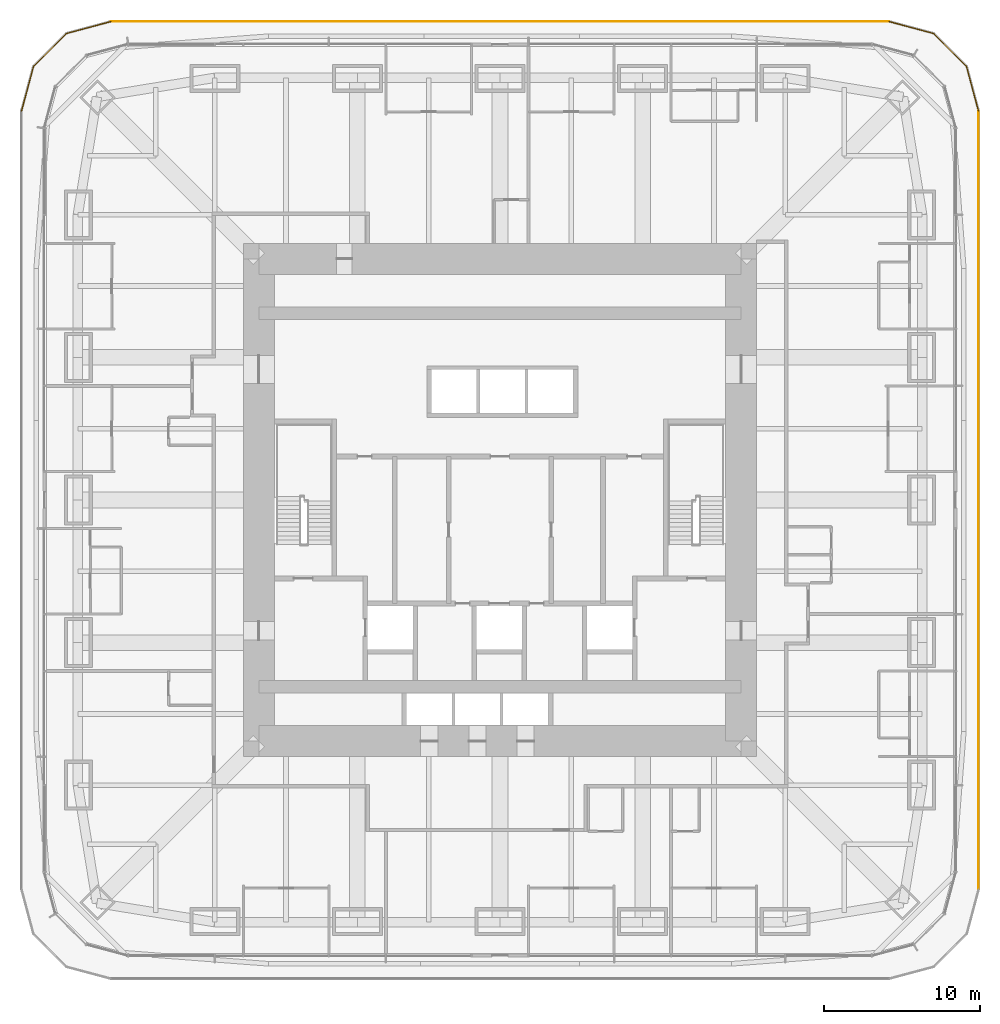
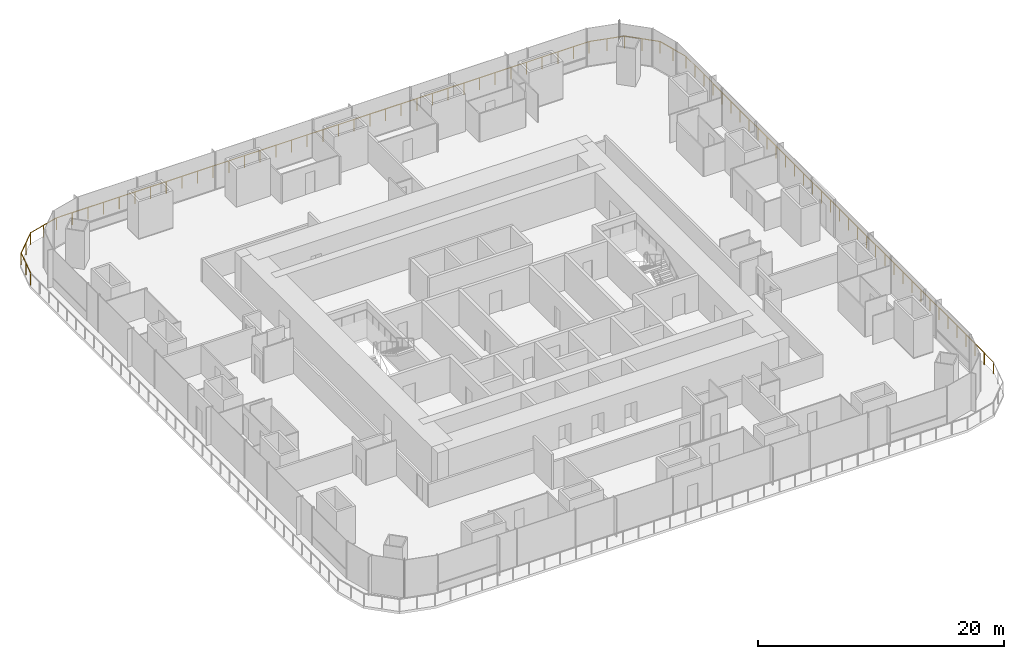
# One storey, part 16 of 16: 4 railings.
"""IFC4 building model written with IfcOpenShell, lengths in metres."""

from ifc_helpers import new_model, si_unit, direction, frame, origin, origin_2d, place, context, subcontext, project, spatial, circle, extrude, material, type_object, element, save


model = new_model("IFC4")

# Units and contexts
model_context = context("Model", 3, precision=1e-05, world=origin(), true_north=direction((0.0, 1.0)))
body_context = subcontext(model_context, "Body", "Model", "MODEL_VIEW")
ifc_project = project(units=[si_unit("LENGTHUNIT", "METRE"), si_unit("AREAUNIT", "SQUARE_METRE"), si_unit("VOLUMEUNIT", "CUBIC_METRE"), si_unit("PLANEANGLEUNIT", "RADIAN"), si_unit("MASSUNIT", "GRAM", prefix="KILO")], contexts=[model_context])

# Site, building, storey
site_placement = place(None, origin())
site = spatial("IfcSite", under=ifc_project, at=site_placement, CompositionType="ELEMENT")
building_placement = place(site_placement, origin())
building = spatial("IfcBuilding", under=site, at=building_placement, Name="Khuree Lantern Residences", CompositionType="ELEMENT")
storey_placement = place(building_placement, frame((0.0, 0.0, 107.25)))
storey = spatial("IfcBuildingStorey", under=building, at=storey_placement, Name="L26", CompositionType="ELEMENT", Elevation=107.25)

# Railings
ifc_material = material(Name="Toughened laminated glass balustrade with bronze anodised aluminium top rail", Category="aluminium")
railing_type = type_object("IfcRailingType", Name="TERRACE GUARD G1 1200", PredefinedType="GUARDRAIL", material=ifc_material)
railing_1_placement = place(storey_placement, frame((30.75, -25.0, 0.0)))
element("IfcRailing", 1, at=railing_1_placement, inside=storey, type_object=railing_type, Name="L26 EAST FACE TERRACE GUARD", PredefinedType="GUARDRAIL", context=body_context, shape_type="SweptSolid", body=[
    extrude(circle(Radius=0.02392578125, at=origin_2d()), frame((0.0, 0.0, 1.17626953125), z_axis=(0.0, 1.0, 0.0), x_axis=(-1.0, 0.0, 0.0)), (0.0, 0.0, 1.0), 50.0),
    extrude(circle(Radius=0.02099609375, at=origin_2d()), origin(), (0.0, 0.0, 1.0), 1.152099609375),
    extrude(circle(Radius=0.02099609375, at=origin_2d()), frame((0.0, 1.470703125, 0.0)), (0.0, 0.0, 1.0), 1.152099609375),
    extrude(circle(Radius=0.02099609375, at=origin_2d()), frame((0.0, 2.941162109375, 0.0)), (0.0, 0.0, 1.0), 1.152099609375),
    extrude(circle(Radius=0.02099609375, at=origin_2d()), frame((0.0, 4.411865234375, 0.0)), (0.0, 0.0, 1.0), 1.152099609375),
    extrude(circle(Radius=0.02099609375, at=origin_2d()), frame((0.0, 5.88232421875, 0.0)), (0.0, 0.0, 1.0), 1.152099609375),
    extrude(circle(Radius=0.02099609375, at=origin_2d()), frame((0.0, 7.35302734375, 0.0)), (0.0, 0.0, 1.0), 1.152099609375),
    extrude(circle(Radius=0.02099609375, at=origin_2d()), frame((0.0, 8.823486328125, 0.0)), (0.0, 0.0, 1.0), 1.152099609375),
    extrude(circle(Radius=0.02099609375, at=origin_2d()), frame((0.0, 10.294189453125, 0.0)), (0.0, 0.0, 1.0), 1.152099609375),
    extrude(circle(Radius=0.02099609375, at=origin_2d()), frame((0.0, 11.7646484375, 0.0)), (0.0, 0.0, 1.0), 1.152099609375),
    extrude(circle(Radius=0.02099609375, at=origin_2d()), frame((0.0, 13.2353515625, 0.0)), (0.0, 0.0, 1.0), 1.152099609375),
    extrude(circle(Radius=0.02099609375, at=origin_2d()), frame((0.0, 14.705810546875, 0.0)), (0.0, 0.0, 1.0), 1.152099609375),
    extrude(circle(Radius=0.02099609375, at=origin_2d()), frame((0.0, 16.176513671875, 0.0)), (0.0, 0.0, 1.0), 1.152099609375),
    extrude(circle(Radius=0.02099609375, at=origin_2d()), frame((0.0, 17.64697265625, 0.0)), (0.0, 0.0, 1.0), 1.152099609375),
    extrude(circle(Radius=0.02099609375, at=origin_2d()), frame((0.0, 19.11767578125, 0.0)), (0.0, 0.0, 1.0), 1.152099609375),
    extrude(circle(Radius=0.02099609375, at=origin_2d()), frame((0.0, 20.588134765625, 0.0)), (0.0, 0.0, 1.0), 1.152099609375),
    extrude(circle(Radius=0.02099609375, at=origin_2d()), frame((0.0, 22.058837890625, 0.0)), (0.0, 0.0, 1.0), 1.152099609375),
    extrude(circle(Radius=0.02099609375, at=origin_2d()), frame((0.0, 23.529296875, 0.0)), (0.0, 0.0, 1.0), 1.152099609375),
    extrude(circle(Radius=0.02099609375, at=origin_2d()), frame((0.0, 25.0, 0.0)), (0.0, 0.0, 1.0), 1.152099609375),
    extrude(circle(Radius=0.02099609375, at=origin_2d()), frame((0.0, 26.470703125, 0.0)), (0.0, 0.0, 1.0), 1.152099609375),
    extrude(circle(Radius=0.02099609375, at=origin_2d()), frame((0.0, 27.941162109375, 0.0)), (0.0, 0.0, 1.0), 1.152099609375),
    extrude(circle(Radius=0.02099609375, at=origin_2d()), frame((0.0, 29.411865234375, 0.0)), (0.0, 0.0, 1.0), 1.152099609375),
    extrude(circle(Radius=0.02099609375, at=origin_2d()), frame((0.0, 30.88232421875, 0.0)), (0.0, 0.0, 1.0), 1.152099609375),
    extrude(circle(Radius=0.02099609375, at=origin_2d()), frame((0.0, 32.35302734375, 0.0)), (0.0, 0.0, 1.0), 1.152099609375),
    extrude(circle(Radius=0.02099609375, at=origin_2d()), frame((0.0, 33.823486328125, 0.0)), (0.0, 0.0, 1.0), 1.152099609375),
    extrude(circle(Radius=0.02099609375, at=origin_2d()), frame((0.0, 35.294189453125, 0.0)), (0.0, 0.0, 1.0), 1.152099609375),
    extrude(circle(Radius=0.02099609375, at=origin_2d()), frame((0.0, 36.7646484375, 0.0)), (0.0, 0.0, 1.0), 1.152099609375),
    extrude(circle(Radius=0.02099609375, at=origin_2d()), frame((0.0, 38.2353515625, 0.0)), (0.0, 0.0, 1.0), 1.152099609375),
    extrude(circle(Radius=0.02099609375, at=origin_2d()), frame((0.0, 39.705810546875, 0.0)), (0.0, 0.0, 1.0), 1.152099609375),
    extrude(circle(Radius=0.02099609375, at=origin_2d()), frame((0.0, 41.176513671875, 0.0)), (0.0, 0.0, 1.0), 1.152099609375),
    extrude(circle(Radius=0.02099609375, at=origin_2d()), frame((0.0, 42.64697265625, 0.0)), (0.0, 0.0, 1.0), 1.152099609375),
    extrude(circle(Radius=0.02099609375, at=origin_2d()), frame((0.0, 44.11767578125, 0.0)), (0.0, 0.0, 1.0), 1.152099609375),
    extrude(circle(Radius=0.02099609375, at=origin_2d()), frame((0.0, 45.588134765625, 0.0)), (0.0, 0.0, 1.0), 1.152099609375),
    extrude(circle(Radius=0.02099609375, at=origin_2d()), frame((0.0, 47.058837890625, 0.0)), (0.0, 0.0, 1.0), 1.152099609375),
    extrude(circle(Radius=0.02099609375, at=origin_2d()), frame((0.0, 48.529296875, 0.0)), (0.0, 0.0, 1.0), 1.152099609375),
    extrude(circle(Radius=0.02099609375, at=origin_2d()), frame((0.0, 50.0, 0.0)), (0.0, 0.0, 1.0), 1.152099609375),
])
railing_2_placement = place(storey_placement, frame((30.75, 25.0, 0.0)))
element("IfcRailing", 2, at=railing_2_placement, inside=storey, type_object=railing_type, Name="L26 NORTH-EAST CORNER TERRACE GUARD", PredefinedType="GUARDRAIL", context=body_context, shape_type="SweptSolid", body=[
    extrude(circle(Radius=0.02392578125, at=origin_2d()), frame((0.0, 0.0, 1.17626953125), z_axis=(-0.25879075227, 0.965933406887, 0.0), x_axis=(-0.965933406887, -0.25879075227, 0.0)), (0.0, 0.0, 1.0), 2.976318359375),
    extrude(circle(Radius=0.02392578125, at=origin_2d()), frame((-0.770263671875, 2.875, 1.17626953125), z_axis=(-0.707106781187, 0.707106781187, 0.0), x_axis=(-0.707106781187, -0.707106781187, 0.0)), (0.0, 0.0, 1.0), 2.9765625),
    extrude(circle(Radius=0.02392578125, at=origin_2d()), frame((-2.875, 4.979736328125, 1.17626953125), z_axis=(-0.965933406887, 0.25879075227, 0.0), x_axis=(-0.25879075227, -0.965933406887, 0.0)), (0.0, 0.0, 1.0), 2.976318359375),
    extrude(circle(Radius=0.02099609375, at=origin_2d()), origin(), (0.0, 0.0, 1.0), 1.152099609375),
    extrude(circle(Radius=0.02099609375, at=origin_2d()), frame((-0.38525390625, 1.4375, 0.0)), (0.0, 0.0, 1.0), 1.152099609375),
    extrude(circle(Radius=0.02099609375, at=origin_2d()), frame((-0.770263671875, 2.875, 0.0)), (0.0, 0.0, 1.0), 1.152099609375),
    extrude(circle(Radius=0.02099609375, at=origin_2d()), frame((-1.82275390625, 3.92724609375, 0.0)), (0.0, 0.0, 1.0), 1.152099609375),
    extrude(circle(Radius=0.02099609375, at=origin_2d()), frame((-2.875, 4.979736328125, 0.0)), (0.0, 0.0, 1.0), 1.152099609375),
    extrude(circle(Radius=0.02099609375, at=origin_2d()), frame((-4.3125, 5.36474609375, 0.0)), (0.0, 0.0, 1.0), 1.152099609375),
    extrude(circle(Radius=0.02099609375, at=origin_2d()), frame((-5.75, 5.75, 0.0)), (0.0, 0.0, 1.0), 1.152099609375),
])
railing_3_placement = place(storey_placement, frame((25.0, 30.75, 0.0)))
element("IfcRailing", 3, at=railing_3_placement, inside=storey, type_object=railing_type, Name="L26 NORTH FACE TERRACE GUARD", PredefinedType="GUARDRAIL", context=body_context, shape_type="SweptSolid", body=[
    extrude(circle(Radius=0.02392578125, at=origin_2d()), frame((0.0, 0.0, 1.17626953125), z_axis=(-1.0, 0.0, 0.0), x_axis=(0.0, -1.0, 0.0)), (0.0, 0.0, 1.0), 50.0),
    extrude(circle(Radius=0.02099609375, at=origin_2d()), origin(), (0.0, 0.0, 1.0), 1.152099609375),
    extrude(circle(Radius=0.02099609375, at=origin_2d()), frame((-1.470703125, 0.0, 0.0)), (0.0, 0.0, 1.0), 1.152099609375),
    extrude(circle(Radius=0.02099609375, at=origin_2d()), frame((-2.941162109375, 0.0, 0.0)), (0.0, 0.0, 1.0), 1.152099609375),
    extrude(circle(Radius=0.02099609375, at=origin_2d()), frame((-4.411865234375, 0.0, 0.0)), (0.0, 0.0, 1.0), 1.152099609375),
    extrude(circle(Radius=0.02099609375, at=origin_2d()), frame((-5.88232421875, 0.0, 0.0)), (0.0, 0.0, 1.0), 1.152099609375),
    extrude(circle(Radius=0.02099609375, at=origin_2d()), frame((-7.35302734375, 0.0, 0.0)), (0.0, 0.0, 1.0), 1.152099609375),
    extrude(circle(Radius=0.02099609375, at=origin_2d()), frame((-8.823486328125, 0.0, 0.0)), (0.0, 0.0, 1.0), 1.152099609375),
    extrude(circle(Radius=0.02099609375, at=origin_2d()), frame((-10.294189453125, 0.0, 0.0)), (0.0, 0.0, 1.0), 1.152099609375),
    extrude(circle(Radius=0.02099609375, at=origin_2d()), frame((-11.7646484375, 0.0, 0.0)), (0.0, 0.0, 1.0), 1.152099609375),
    extrude(circle(Radius=0.02099609375, at=origin_2d()), frame((-13.2353515625, 0.0, 0.0)), (0.0, 0.0, 1.0), 1.152099609375),
    extrude(circle(Radius=0.02099609375, at=origin_2d()), frame((-14.705810546875, 0.0, 0.0)), (0.0, 0.0, 1.0), 1.152099609375),
    extrude(circle(Radius=0.02099609375, at=origin_2d()), frame((-16.176513671875, 0.0, 0.0)), (0.0, 0.0, 1.0), 1.152099609375),
    extrude(circle(Radius=0.02099609375, at=origin_2d()), frame((-17.64697265625, 0.0, 0.0)), (0.0, 0.0, 1.0), 1.152099609375),
    extrude(circle(Radius=0.02099609375, at=origin_2d()), frame((-19.11767578125, 0.0, 0.0)), (0.0, 0.0, 1.0), 1.152099609375),
    extrude(circle(Radius=0.02099609375, at=origin_2d()), frame((-20.588134765625, 0.0, 0.0)), (0.0, 0.0, 1.0), 1.152099609375),
    extrude(circle(Radius=0.02099609375, at=origin_2d()), frame((-22.058837890625, 0.0, 0.0)), (0.0, 0.0, 1.0), 1.152099609375),
    extrude(circle(Radius=0.02099609375, at=origin_2d()), frame((-23.529296875, 0.0, 0.0)), (0.0, 0.0, 1.0), 1.152099609375),
    extrude(circle(Radius=0.02099609375, at=origin_2d()), frame((-25.0, 0.0, 0.0)), (0.0, 0.0, 1.0), 1.152099609375),
    extrude(circle(Radius=0.02099609375, at=origin_2d()), frame((-26.470703125, 0.0, 0.0)), (0.0, 0.0, 1.0), 1.152099609375),
    extrude(circle(Radius=0.02099609375, at=origin_2d()), frame((-27.941162109375, 0.0, 0.0)), (0.0, 0.0, 1.0), 1.152099609375),
    extrude(circle(Radius=0.02099609375, at=origin_2d()), frame((-29.411865234375, 0.0, 0.0)), (0.0, 0.0, 1.0), 1.152099609375),
    extrude(circle(Radius=0.02099609375, at=origin_2d()), frame((-30.88232421875, 0.0, 0.0)), (0.0, 0.0, 1.0), 1.152099609375),
    extrude(circle(Radius=0.02099609375, at=origin_2d()), frame((-32.35302734375, 0.0, 0.0)), (0.0, 0.0, 1.0), 1.152099609375),
    extrude(circle(Radius=0.02099609375, at=origin_2d()), frame((-33.823486328125, 0.0, 0.0)), (0.0, 0.0, 1.0), 1.152099609375),
    extrude(circle(Radius=0.02099609375, at=origin_2d()), frame((-35.294189453125, 0.0, 0.0)), (0.0, 0.0, 1.0), 1.152099609375),
    extrude(circle(Radius=0.02099609375, at=origin_2d()), frame((-36.7646484375, 0.0, 0.0)), (0.0, 0.0, 1.0), 1.152099609375),
    extrude(circle(Radius=0.02099609375, at=origin_2d()), frame((-38.2353515625, 0.0, 0.0)), (0.0, 0.0, 1.0), 1.152099609375),
    extrude(circle(Radius=0.02099609375, at=origin_2d()), frame((-39.705810546875, 0.0, 0.0)), (0.0, 0.0, 1.0), 1.152099609375),
    extrude(circle(Radius=0.02099609375, at=origin_2d()), frame((-41.176513671875, 0.0, 0.0)), (0.0, 0.0, 1.0), 1.152099609375),
    extrude(circle(Radius=0.02099609375, at=origin_2d()), frame((-42.64697265625, 0.0, 0.0)), (0.0, 0.0, 1.0), 1.152099609375),
    extrude(circle(Radius=0.02099609375, at=origin_2d()), frame((-44.11767578125, 0.0, 0.0)), (0.0, 0.0, 1.0), 1.152099609375),
    extrude(circle(Radius=0.02099609375, at=origin_2d()), frame((-45.588134765625, 0.0, 0.0)), (0.0, 0.0, 1.0), 1.152099609375),
    extrude(circle(Radius=0.02099609375, at=origin_2d()), frame((-47.058837890625, 0.0, 0.0)), (0.0, 0.0, 1.0), 1.152099609375),
    extrude(circle(Radius=0.02099609375, at=origin_2d()), frame((-48.529296875, 0.0, 0.0)), (0.0, 0.0, 1.0), 1.152099609375),
    extrude(circle(Radius=0.02099609375, at=origin_2d()), frame((-50.0, 0.0, 0.0)), (0.0, 0.0, 1.0), 1.152099609375),
])
railing_4_placement = place(storey_placement, frame((-25.0, 30.75, 0.0)))
element("IfcRailing", 4, at=railing_4_placement, inside=storey, type_object=railing_type, Name="L26 NORTH-WEST CORNER TERRACE GUARD", PredefinedType="GUARDRAIL", context=body_context, shape_type="SweptSolid", body=[
    extrude(circle(Radius=0.02392578125, at=origin_2d()), frame((0.0, 0.0, 1.17626953125), z_axis=(-0.965933406887, -0.25879075227, 0.0), x_axis=(0.25879075227, -0.965933406887, 0.0)), (0.0, 0.0, 1.0), 2.976318359375),
    extrude(circle(Radius=0.02392578125, at=origin_2d()), frame((-2.875, -0.770263671875, 1.17626953125), z_axis=(-0.707106781187, -0.707106781187, 0.0), x_axis=(0.707106781187, -0.707106781187, 0.0)), (0.0, 0.0, 1.0), 2.9765625),
    extrude(circle(Radius=0.02392578125, at=origin_2d()), frame((-4.979736328125, -2.875, 1.17626953125), z_axis=(-0.25879075227, -0.965933406887, 0.0), x_axis=(0.965933406887, -0.25879075227, 0.0)), (0.0, 0.0, 1.0), 2.976318359375),
    extrude(circle(Radius=0.02099609375, at=origin_2d()), origin(), (0.0, 0.0, 1.0), 1.152099609375),
    extrude(circle(Radius=0.02099609375, at=origin_2d()), frame((-1.4375, -0.38525390625, 0.0)), (0.0, 0.0, 1.0), 1.152099609375),
    extrude(circle(Radius=0.02099609375, at=origin_2d()), frame((-2.875, -0.770263671875, 0.0)), (0.0, 0.0, 1.0), 1.152099609375),
    extrude(circle(Radius=0.02099609375, at=origin_2d()), frame((-3.92724609375, -1.82275390625, 0.0)), (0.0, 0.0, 1.0), 1.152099609375),
    extrude(circle(Radius=0.02099609375, at=origin_2d()), frame((-4.979736328125, -2.875, 0.0)), (0.0, 0.0, 1.0), 1.152099609375),
    extrude(circle(Radius=0.02099609375, at=origin_2d()), frame((-5.36474609375, -4.3125, 0.0)), (0.0, 0.0, 1.0), 1.152099609375),
    extrude(circle(Radius=0.02099609375, at=origin_2d()), frame((-5.75, -5.75, 0.0)), (0.0, 0.0, 1.0), 1.152099609375),
])

save(model, "model.ifc")
